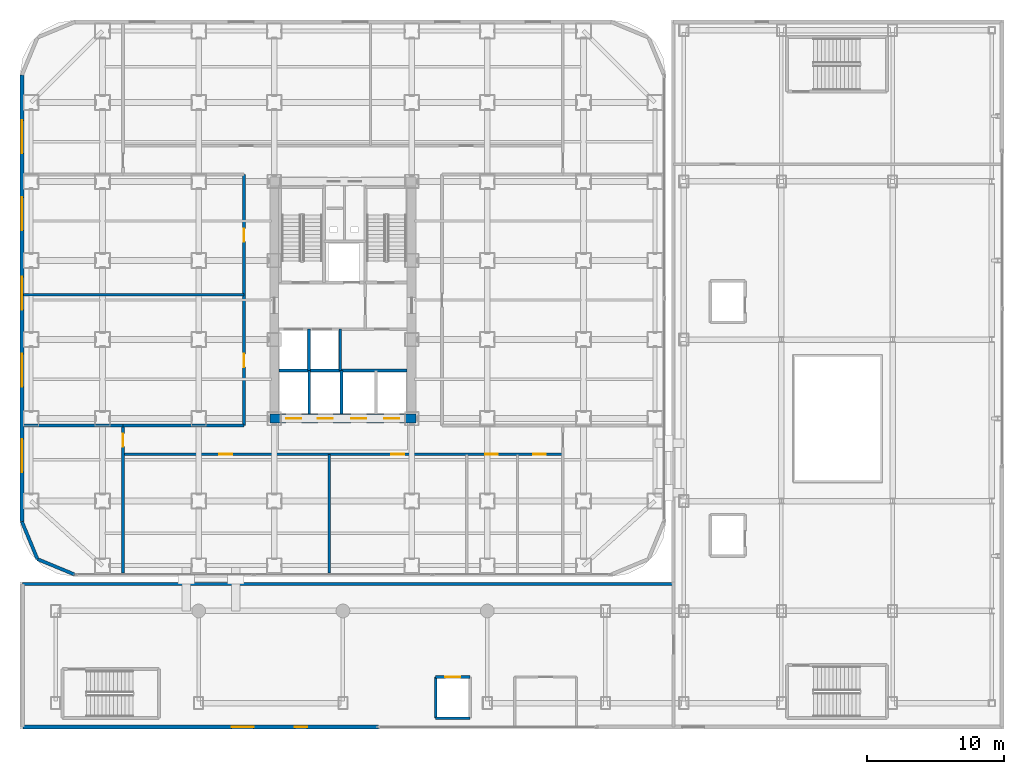
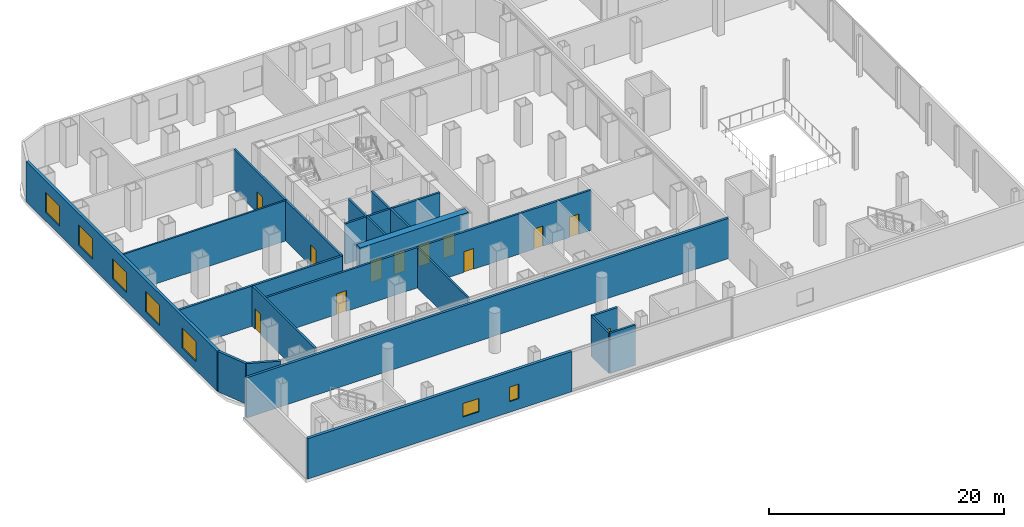
# One storey, part 19 of 26: 21 walls, 12 doors, 7 windows, 19 openings.
"""IFC4 building model written with IfcOpenShell, lengths in metres."""

from ifc_helpers import new_model, si_unit, direction, frame, frame_2d, origin, place, context, subcontext, project, spatial, rectangle, extrude, material, layer, layer_set, type_object, element, fill, save


model = new_model("IFC4")

# Units and contexts
model_context = context("Model", 3, precision=1e-05, world=origin(), true_north=direction((0.0, 1.0)))
body_context = subcontext(model_context, "Body", "Model", "MODEL_VIEW")
ifc_project = project(units=[si_unit("LENGTHUNIT", "METRE"), si_unit("AREAUNIT", "SQUARE_METRE"), si_unit("VOLUMEUNIT", "CUBIC_METRE"), si_unit("PLANEANGLEUNIT", "RADIAN"), si_unit("MASSUNIT", "GRAM", prefix="KILO")], contexts=[model_context])

# Site, building, storey
site_placement = place(None, origin())
site = spatial("IfcSite", under=ifc_project, at=site_placement, CompositionType="ELEMENT")
building_placement = place(site_placement, origin())
building = spatial("IfcBuilding", under=site, at=building_placement, Name="Kolveth Station Tower", CompositionType="ELEMENT")
storey_placement = place(building_placement, frame((0.0, 0.0, 4.5)))
storey = spatial("IfcBuildingStorey", under=building, at=storey_placement, Name="L01", CompositionType="ELEMENT", Elevation=4.5)

# Wall, openings, doors
ifc_material_1 = material(Name="Concrete C60/75", Category="concrete")
ifc_layer_1 = layer(ifc_material_1, 0.64990234375)
ifc_layer_set_1 = layer_set([ifc_layer_1], Name="Concrete C60/75")
wall_type_1 = type_object("IfcWallType", Name="Wall_CW-650", PredefinedType="SHEAR", material=ifc_layer_set_1)
wall_1_placement = place(storey_placement, frame((18.175048828125, 11.5, 0.0), z_axis=(0.0, 0.0, 1.0), x_axis=(1.0, 0.0, 0.0)))
wall_1 = element("IfcWall", 1, at=wall_1_placement, inside=storey, type_object=wall_type_1, Name="L01 Core RC Shear Wall S", PredefinedType="SHEAR", context=body_context, shape_type="SweptSolid", body=[
    extrude(rectangle(XDim=10.64990234375, YDim=0.64990234375, at=frame_2d((5.324951171875, 0.0))), origin(), (0.0, 0.0, 1.0), 4.179931640625),
])
opening_1_placement = place(wall_1_placement, frame((1.195068359375, 0.0, 0.0)))
opening_1 = element("IfcOpeningElement", 2, at=opening_1_placement, cuts=wall_1, Name="Opening LD1", PredefinedType="OPENING", context=body_context, shape_type="SweptSolid", body=[
    extrude(rectangle(XDim=1.10009765625, YDim=2.25, at=frame_2d((0.550048828125, 1.125))), frame((0.0, 0.3349609375, 0.0), z_axis=(0.0, -1.0, 0.0), x_axis=(1.0, 0.0, 0.0)), (0.0, 0.0, 1.0), 0.669921875),
])
opening_2_placement = place(wall_1_placement, frame((3.4951171875, 0.0, 0.0)))
opening_2 = element("IfcOpeningElement", 3, at=opening_2_placement, cuts=wall_1, Name="Opening LD1", PredefinedType="OPENING", context=body_context, shape_type="SweptSolid", body=[
    extrude(rectangle(XDim=1.10009765625, YDim=2.25, at=frame_2d((0.550048828125, 1.125))), frame((0.0, 0.3349609375, 0.0), z_axis=(0.0, -1.0, 0.0), x_axis=(1.0, 0.0, 0.0)), (0.0, 0.0, 1.0), 0.669921875),
])
opening_3_placement = place(wall_1_placement, frame((5.925048828125, 0.0, 0.0)))
opening_3 = element("IfcOpeningElement", 4, at=opening_3_placement, cuts=wall_1, Name="Opening LD1", PredefinedType="OPENING", context=body_context, shape_type="SweptSolid", body=[
    extrude(rectangle(XDim=1.10009765625, YDim=2.25, at=frame_2d((0.550048828125, 1.125))), frame((0.0, 0.3349609375, 0.0), z_axis=(0.0, -1.0, 0.0), x_axis=(1.0, 0.0, 0.0)), (0.0, 0.0, 1.0), 0.669921875),
])
opening_4_placement = place(wall_1_placement, frame((8.324951171875, 0.0, 0.0)))
opening_4 = element("IfcOpeningElement", 5, at=opening_4_placement, cuts=wall_1, Name="Opening LD1", PredefinedType="OPENING", context=body_context, shape_type="SweptSolid", body=[
    extrude(rectangle(XDim=1.10009765625, YDim=2.25, at=frame_2d((0.550048828125, 1.125))), frame((0.0, 0.3349609375, 0.0), z_axis=(0.0, -1.0, 0.0), x_axis=(1.0, 0.0, 0.0)), (0.0, 0.0, 1.0), 0.669921875),
])
ifc_material_2 = material(Name="Brushed stainless steel sliding landing doors", Category="steel")
door_type_1 = type_object("IfcDoorType", Name="Door_LD1", OperationType="NOTDEFINED", PredefinedType="DOOR", material=ifc_material_2)
door_1_placement = place(opening_1_placement, frame((1.10009765625, 0.0, 0.0), z_axis=(0.0, 0.0, 1.0), x_axis=(-1.0, 0.0, 0.0)))
door_1 = element("IfcDoor", 6, at=door_1_placement, inside=storey, type_object=door_type_1, Name="L01 Lift PL1 Landing Door", OperationType="DOUBLE_DOOR_SLIDING", OverallHeight=2.25, OverallWidth=1.10009765625, PredefinedType="DOOR", context=body_context, shape_type="SweptSolid", body=[
    extrude(rectangle(XDim=1.10009765625, YDim=2.25, at=frame_2d((0.550048828125, 1.125))), frame((0.0, 0.02490234375, 0.0), z_axis=(0.0, -1.0, 0.0), x_axis=(1.0, 0.0, 0.0)), (0.0, 0.0, 1.0), 0.050048828125),
])
fill(opening_1, door_1)
door_2_placement = place(opening_2_placement, frame((1.10009765625, 0.0, 0.0), z_axis=(0.0, 0.0, 1.0), x_axis=(-1.0, 0.0, 0.0)))
door_2 = element("IfcDoor", 7, at=door_2_placement, inside=storey, type_object=door_type_1, Name="L01 Lift PL2 Landing Door", OperationType="DOUBLE_DOOR_SLIDING", OverallHeight=2.25, OverallWidth=1.10009765625, PredefinedType="DOOR", context=body_context, shape_type="SweptSolid", body=[
    extrude(rectangle(XDim=1.10009765625, YDim=2.25, at=frame_2d((0.550048828125, 1.125))), frame((0.0, 0.02490234375, 0.0), z_axis=(0.0, -1.0, 0.0), x_axis=(1.0, 0.0, 0.0)), (0.0, 0.0, 1.0), 0.050048828125),
])
fill(opening_2, door_2)
door_3_placement = place(opening_3_placement, frame((1.10009765625, 0.0, 0.0), z_axis=(0.0, 0.0, 1.0), x_axis=(-1.0, 0.0, 0.0)))
door_3 = element("IfcDoor", 8, at=door_3_placement, inside=storey, type_object=door_type_1, Name="L01 Lift PM1 Landing Door", OperationType="DOUBLE_DOOR_SLIDING", OverallHeight=2.25, OverallWidth=1.10009765625, PredefinedType="DOOR", context=body_context, shape_type="SweptSolid", body=[
    extrude(rectangle(XDim=1.10009765625, YDim=2.25, at=frame_2d((0.550048828125, 1.125))), frame((0.0, 0.02490234375, 0.0), z_axis=(0.0, -1.0, 0.0), x_axis=(1.0, 0.0, 0.0)), (0.0, 0.0, 1.0), 0.050048828125),
])
fill(opening_3, door_3)
door_4_placement = place(opening_4_placement, frame((1.10009765625, 0.0, 0.0), z_axis=(0.0, 0.0, 1.0), x_axis=(-1.0, 0.0, 0.0)))
door_4 = element("IfcDoor", 9, at=door_4_placement, inside=storey, type_object=door_type_1, Name="L01 Lift PH1 Landing Door", OperationType="DOUBLE_DOOR_SLIDING", OverallHeight=2.25, OverallWidth=1.10009765625, PredefinedType="DOOR", context=body_context, shape_type="SweptSolid", body=[
    extrude(rectangle(XDim=1.10009765625, YDim=2.25, at=frame_2d((0.550048828125, 1.125))), frame((0.0, 0.02490234375, 0.0), z_axis=(0.0, -1.0, 0.0), x_axis=(1.0, 0.0, 0.0)), (0.0, 0.0, 1.0), 0.050048828125),
])
fill(opening_4, door_4)

# Walls
ifc_material_3 = material(Name="Precast concrete C40/50", Category="concrete")
ifc_layer_2 = layer(ifc_material_3, 0.239990234375)
ifc_layer_set_2 = layer_set([ifc_layer_2], Name="Precast concrete C40/50")
wall_type_2 = type_object("IfcWallType", Name="Wall_EW-240", PredefinedType="SOLIDWALL", material=ifc_layer_set_2)
for number, where, z_axis, x_axis, name in (
    (10, (0.139892578125, 4.0, 0.0), (0.0, 0.0, 1.0), (0.382689947836, -0.923876833688, 0.0), "L01 Podium Rounded Corner Wall 7"),
    (11, (1.2705078125, 1.2705078125, 0.0), (0.0, 0.0, 1.0), (0.923876833688, -0.382689947836, 0.0), "L01 Podium Rounded Corner Wall 8"),
):
    element("IfcWall", number, at=place(storey_placement, frame(where, z_axis=z_axis, x_axis=x_axis)), inside=storey, type_object=wall_type_2, Name=name, PredefinedType="SOLIDWALL", context=body_context, shape_type="SweptSolid", body=[
        extrude(rectangle(XDim=2.954345703125, YDim=0.239990234375, at=frame_2d((1.47705078125, 0.0))), origin(), (0.0, 0.0, 1.0), 4.179931640625),
    ])
wall_2_placement = place(storey_placement, frame((0.199951171875, -0.5400390625, 0.0), z_axis=(0.0, 0.0, 1.0), x_axis=(1.0, 0.0, 0.0)))
element("IfcWall", 12, at=wall_2_placement, inside=storey, type_object=wall_type_2, Name="L01 Station Exterior Wall JS", PredefinedType="SOLIDWALL", context=body_context, shape_type="SweptSolid", body=[
    extrude(rectangle(XDim=47.340087890625, YDim=0.239990234375, at=frame_2d((23.669921875, 0.0))), origin(), (0.0, 0.0, 1.0), 4.179931640625),
])

# Wall, openings, windows
ifc_layer_3 = layer(ifc_material_3, 0.280029296875)
ifc_layer_set_3 = layer_set([ifc_layer_3], Name="Precast concrete C40/50")
wall_type_3 = type_object("IfcWallType", Name="Wall_EW-280", PredefinedType="SOLIDWALL", material=ifc_layer_set_3)
wall_3_placement = place(storey_placement, frame((0.139892578125, 4.0, 0.0), z_axis=(0.0, 0.0, 1.0), x_axis=(0.0, 1.0, 0.0)))
wall_3 = element("IfcWall", 13, at=wall_3_placement, inside=storey, type_object=wall_type_3, Name="L01 Tower Podium West Exterior Wall", PredefinedType="SOLIDWALL", context=body_context, shape_type="SweptSolid", body=[
    extrude(rectangle(XDim=32.5, YDim=0.280029296875, at=frame_2d((16.25, 0.0))), origin(), (0.0, 0.0, 1.0), 4.179931640625),
])
opening_5_placement = place(wall_3_placement, frame((3.60009765625, 0.0, 0.89990234375)))
opening_5 = element("IfcOpeningElement", 14, at=opening_5_placement, cuts=wall_3, Name="Opening W1", PredefinedType="OPENING", context=body_context, shape_type="SweptSolid", body=[
    extrude(rectangle(XDim=2.39990234375, YDim=2.10009765625, at=frame_2d((1.199951171875, 1.050048828125))), frame((0.0, 0.14990234375, 0.0), z_axis=(0.0, -1.0, 0.0), x_axis=(1.0, 0.0, 0.0)), (0.0, 0.0, 1.0), 0.300048828125),
])
opening_6_placement = place(wall_3_placement, frame((9.800048828125, 0.0, 0.89990234375)))
opening_6 = element("IfcOpeningElement", 15, at=opening_6_placement, cuts=wall_3, Name="Opening W1", PredefinedType="OPENING", context=body_context, shape_type="SweptSolid", body=[
    extrude(rectangle(XDim=2.39990234375, YDim=2.10009765625, at=frame_2d((1.199951171875, 1.050048828125))), frame((0.0, 0.14990234375, 0.0), z_axis=(0.0, -1.0, 0.0), x_axis=(1.0, 0.0, 0.0)), (0.0, 0.0, 1.0), 0.300048828125),
])
opening_7_placement = place(wall_3_placement, frame((15.39990234375, 0.0, 0.89990234375)))
opening_7 = element("IfcOpeningElement", 16, at=opening_7_placement, cuts=wall_3, Name="Opening W1", PredefinedType="OPENING", context=body_context, shape_type="SweptSolid", body=[
    extrude(rectangle(XDim=2.39990234375, YDim=2.10009765625, at=frame_2d((1.199951171875, 1.050048828125))), frame((0.0, 0.14990234375, 0.0), z_axis=(0.0, -1.0, 0.0), x_axis=(1.0, 0.0, 0.0)), (0.0, 0.0, 1.0), 0.300048828125),
])
opening_8_placement = place(wall_3_placement, frame((21.199951171875, 0.0, 0.89990234375)))
opening_8 = element("IfcOpeningElement", 17, at=opening_8_placement, cuts=wall_3, Name="Opening W1", PredefinedType="OPENING", context=body_context, shape_type="SweptSolid", body=[
    extrude(rectangle(XDim=2.39990234375, YDim=2.10009765625, at=frame_2d((1.199951171875, 1.050048828125))), frame((0.0, 0.14990234375, 0.0), z_axis=(0.0, -1.0, 0.0), x_axis=(1.0, 0.0, 0.0)), (0.0, 0.0, 1.0), 0.300048828125),
])
opening_9_placement = place(wall_3_placement, frame((26.800048828125, 0.0, 0.89990234375)))
opening_9 = element("IfcOpeningElement", 18, at=opening_9_placement, cuts=wall_3, Name="Opening W1", PredefinedType="OPENING", context=body_context, shape_type="SweptSolid", body=[
    extrude(rectangle(XDim=2.39990234375, YDim=2.10009765625, at=frame_2d((1.199951171875, 1.050048828125))), frame((0.0, 0.14990234375, 0.0), z_axis=(0.0, -1.0, 0.0), x_axis=(1.0, 0.0, 0.0)), (0.0, 0.0, 1.0), 0.300048828125),
])
ifc_material_4 = material(Name="Black anodized aluminium 6063-T6 and low-E dark glass", Category="aluminium")
window_type_1 = type_object("IfcWindowType", Name="Win_W1", PartitioningType="SINGLE_PANEL", PredefinedType="WINDOW", material=ifc_material_4)
window_1_placement = place(opening_5_placement, origin())
window_1 = element("IfcWindow", 19, at=window_1_placement, inside=storey, type_object=window_type_1, Name="L01 Tower Podium West Window 1", OverallHeight=2.10009765625, OverallWidth=2.39990234375, PartitioningType="SINGLE_PANEL", PredefinedType="WINDOW", context=body_context, shape_type="SweptSolid", body=[
    extrude(rectangle(XDim=2.39990234375, YDim=2.10009765625, at=frame_2d((1.199951171875, 1.050048828125))), frame((0.0, 0.030029296875, 0.0), z_axis=(0.0, -1.0, 0.0), x_axis=(1.0, 0.0, 0.0)), (0.0, 0.0, 1.0), 0.06005859375),
])
fill(opening_5, window_1)
window_2_placement = place(opening_6_placement, origin())
window_2 = element("IfcWindow", 20, at=window_2_placement, inside=storey, type_object=window_type_1, Name="L01 Tower Podium West Window 2", OverallHeight=2.10009765625, OverallWidth=2.39990234375, PartitioningType="SINGLE_PANEL", PredefinedType="WINDOW", context=body_context, shape_type="SweptSolid", body=[
    extrude(rectangle(XDim=2.39990234375, YDim=2.10009765625, at=frame_2d((1.199951171875, 1.050048828125))), frame((0.0, 0.030029296875, 0.0), z_axis=(0.0, -1.0, 0.0), x_axis=(1.0, 0.0, 0.0)), (0.0, 0.0, 1.0), 0.06005859375),
])
fill(opening_6, window_2)
window_3_placement = place(opening_7_placement, origin())
window_3 = element("IfcWindow", 21, at=window_3_placement, inside=storey, type_object=window_type_1, Name="L01 Tower Podium West Window 3", OverallHeight=2.10009765625, OverallWidth=2.39990234375, PartitioningType="SINGLE_PANEL", PredefinedType="WINDOW", context=body_context, shape_type="SweptSolid", body=[
    extrude(rectangle(XDim=2.39990234375, YDim=2.10009765625, at=frame_2d((1.199951171875, 1.050048828125))), frame((0.0, 0.030029296875, 0.0), z_axis=(0.0, -1.0, 0.0), x_axis=(1.0, 0.0, 0.0)), (0.0, 0.0, 1.0), 0.06005859375),
])
fill(opening_7, window_3)
window_4_placement = place(opening_8_placement, origin())
window_4 = element("IfcWindow", 22, at=window_4_placement, inside=storey, type_object=window_type_1, Name="L01 Tower Podium West Window 4", OverallHeight=2.10009765625, OverallWidth=2.39990234375, PartitioningType="SINGLE_PANEL", PredefinedType="WINDOW", context=body_context, shape_type="SweptSolid", body=[
    extrude(rectangle(XDim=2.39990234375, YDim=2.10009765625, at=frame_2d((1.199951171875, 1.050048828125))), frame((0.0, 0.030029296875, 0.0), z_axis=(0.0, -1.0, 0.0), x_axis=(1.0, 0.0, 0.0)), (0.0, 0.0, 1.0), 0.06005859375),
])
fill(opening_8, window_4)
window_5_placement = place(opening_9_placement, origin())
window_5 = element("IfcWindow", 23, at=window_5_placement, inside=storey, type_object=window_type_1, Name="L01 Tower Podium West Window 5", OverallHeight=2.10009765625, OverallWidth=2.39990234375, PartitioningType="SINGLE_PANEL", PredefinedType="WINDOW", context=body_context, shape_type="SweptSolid", body=[
    extrude(rectangle(XDim=2.39990234375, YDim=2.10009765625, at=frame_2d((1.199951171875, 1.050048828125))), frame((0.0, 0.030029296875, 0.0), z_axis=(0.0, -1.0, 0.0), x_axis=(1.0, 0.0, 0.0)), (0.0, 0.0, 1.0), 0.06005859375),
])
fill(opening_9, window_5)

wall_4_placement = place(storey_placement, frame((0.199951171875, -10.949951171875, 0.0), z_axis=(0.0, 0.0, 1.0), x_axis=(1.0, 0.0, 0.0)))
wall_4 = element("IfcWall", 24, at=wall_4_placement, inside=storey, type_object=wall_type_3, Name="L01 Station Exterior Wall S1", PredefinedType="SOLIDWALL", context=body_context, shape_type="SweptSolid", body=[
    extrude(rectangle(XDim=25.900146484375, YDim=0.280029296875, at=frame_2d((12.9501953125, 0.0))), origin(), (0.0, 0.0, 1.0), 4.179931640625),
])
opening_10_placement = place(wall_4_placement, frame((15.199951171875, 0.0, 1.10009765625)))
opening_10 = element("IfcOpeningElement", 25, at=opening_10_placement, cuts=wall_4, Name="Opening W7", PredefinedType="OPENING", context=body_context, shape_type="SweptSolid", body=[
    extrude(rectangle(XDim=1.60009765625, YDim=1.39990234375, at=frame_2d((0.800048828125, 0.699951171875))), frame((0.0, 0.14990234375, 0.0), z_axis=(0.0, -1.0, 0.0), x_axis=(1.0, 0.0, 0.0)), (0.0, 0.0, 1.0), 0.300048828125),
])
opening_11_placement = place(wall_4_placement, frame((19.800048828125, 0.0, 1.10009765625)))
opening_11 = element("IfcOpeningElement", 26, at=opening_11_placement, cuts=wall_4, Name="Opening W8", PredefinedType="OPENING", context=body_context, shape_type="SweptSolid", body=[
    extrude(rectangle(XDim=0.89990234375, YDim=1.5, at=frame_2d((0.449951171875, 0.75))), frame((0.0, 0.14990234375, 0.0), z_axis=(0.0, -1.0, 0.0), x_axis=(1.0, 0.0, 0.0)), (0.0, 0.0, 1.0), 0.300048828125),
])
ifc_material_5 = material(Name="Black anodized aluminium 6063-T6 and triple low-E glass", Category="aluminium")
window_type_2 = type_object("IfcWindowType", Name="Win_W7", PartitioningType="SINGLE_PANEL", PredefinedType="WINDOW", material=ifc_material_5)
window_6_placement = place(opening_10_placement, origin())
window_6 = element("IfcWindow", 27, at=window_6_placement, inside=storey, type_object=window_type_2, Name="L01 Station Hall Window 1", OverallHeight=1.39990234375, OverallWidth=1.60009765625, PartitioningType="SINGLE_PANEL", PredefinedType="WINDOW", context=body_context, shape_type="SweptSolid", body=[
    extrude(rectangle(XDim=1.60009765625, YDim=1.39990234375, at=frame_2d((0.800048828125, 0.699951171875))), frame((0.0, 0.030029296875, 0.0), z_axis=(0.0, -1.0, 0.0), x_axis=(1.0, 0.0, 0.0)), (0.0, 0.0, 1.0), 0.06005859375),
])
fill(opening_10, window_6)
ifc_material_6 = material(Name="Black anodized aluminium 6063-T6 and frosted glass", Category="aluminium")
window_type_3 = type_object("IfcWindowType", Name="Win_W8", PartitioningType="SINGLE_PANEL", PredefinedType="WINDOW", material=ifc_material_6)
window_7_placement = place(opening_11_placement, origin())
window_7 = element("IfcWindow", 28, at=window_7_placement, inside=storey, type_object=window_type_3, Name="L01 Station Hall Window 2", OverallHeight=1.5, OverallWidth=0.89990234375, PartitioningType="SINGLE_PANEL", PredefinedType="WINDOW", context=body_context, shape_type="SweptSolid", body=[
    extrude(rectangle(XDim=0.89990234375, YDim=1.5, at=frame_2d((0.449951171875, 0.75))), frame((0.0, 0.030029296875, 0.0), z_axis=(0.0, -1.0, 0.0), x_axis=(1.0, 0.0, 0.0)), (0.0, 0.0, 1.0), 0.06005859375),
])
fill(opening_11, window_7)

# Walls
ifc_material_7 = material(Name="Acoustic double-stud gypsum partition")
ifc_layer_4 = layer(ifc_material_7, 0.1650390625)
ifc_layer_set_4 = layer_set([ifc_layer_4], Name="Acoustic double-stud gypsum partition")
wall_type_4 = type_object("IfcWallType", Name="Wall_IW-165", PredefinedType="PARTITIONING", material=ifc_layer_set_4)
wall_5_placement = place(storey_placement, frame((22.5, 0.25, 0.0), z_axis=(0.0, 0.0, 1.0), x_axis=(0.0, 1.0, 0.0)))
element("IfcWall", 29, at=wall_5_placement, inside=storey, type_object=wall_type_4, Name="L01 Partition Wall WL-L01-TPS-P1", PredefinedType="PARTITIONING", context=body_context, shape_type="SweptSolid", body=[
    extrude(rectangle(XDim=8.64990234375, YDim=0.1650390625, at=frame_2d((4.324951171875, 0.0))), origin(), (0.0, 0.0, 1.0), 4.179931640625),
])
wall_6_placement = place(storey_placement, frame((0.25, 20.5, 0.0), z_axis=(0.0, 0.0, 1.0), x_axis=(1.0, 0.0, 0.0)))
element("IfcWall", 30, at=wall_6_placement, inside=storey, type_object=wall_type_4, Name="L01 Partition Wall WL-L01-TPW-P1", PredefinedType="PARTITIONING", context=body_context, shape_type="SweptSolid", body=[
    extrude(rectangle(XDim=16.050048828125, YDim=0.1650390625, at=frame_2d((8.02490234375, 0.0))), origin(), (0.0, 0.0, 1.0), 4.179931640625),
])
ifc_material_8 = material(Name="Acoustic fire-rated gypsum blockwork", Category="masonry")
ifc_layer_5 = layer(ifc_material_8, 0.199951171875)
ifc_layer_set_5 = layer_set([ifc_layer_5], Name="Acoustic fire-rated gypsum blockwork")
wall_type_5 = type_object("IfcWallType", Name="Wall_IW-200", PredefinedType="PARTITIONING", material=ifc_layer_set_5)
for number, where, z_axis, x_axis, name in (
    (31, (21.02001953125, 15.0, 0.0), (0.0, 0.0, 1.0), (0.0, 1.0, 0.0), "L01 Partition Wall WL-L01-FF12"),
    (32, (23.300048828125, 15.0, 0.0), (0.0, 0.0, 1.0), (0.0, 1.0, 0.0), "L01 Partition Wall WL-L01-FF2E"),
):
    element("IfcWall", number, at=place(storey_placement, frame(where, z_axis=z_axis, x_axis=x_axis)), inside=storey, type_object=wall_type_5, Name=name, PredefinedType="PARTITIONING", context=body_context, shape_type="SweptSolid", body=[
        extrude(rectangle(XDim=3.0, YDim=0.199951171875, at=frame_2d((1.5, 0.0))), origin(), (0.0, 0.0, 1.0), 4.179931640625),
    ])
wall_7_placement = place(storey_placement, frame((18.8349609375, 15.0, 0.0), z_axis=(0.0, 0.0, 1.0), x_axis=(1.0, 0.0, 0.0)))
element("IfcWall", 33, at=wall_7_placement, inside=storey, type_object=wall_type_5, Name="L01 Partition Wall WL-L01-BOH-S", PredefinedType="PARTITIONING", context=body_context, shape_type="SweptSolid", body=[
    extrude(rectangle(XDim=9.330078125, YDim=0.199951171875, at=frame_2d((4.6650390625, 0.0))), origin(), (0.0, 0.0, 1.0), 4.179931640625),
])
for number, where, z_axis, x_axis, name in (
    (34, (21.050048828125, 11.8349609375, 0.0), (0.0, 0.0, 1.0), (0.0, 1.0, 0.0), "L01 Partition Wall WL-L01-PL12"),
    (35, (23.39990234375, 11.8349609375, 0.0), (0.0, 0.0, 1.0), (0.0, 1.0, 0.0), "L01 Partition Wall WL-L01-PL2E"),
):
    element("IfcWall", number, at=place(storey_placement, frame(where, z_axis=z_axis, x_axis=x_axis)), inside=storey, type_object=wall_type_5, Name=name, PredefinedType="PARTITIONING", context=body_context, shape_type="SweptSolid", body=[
        extrude(rectangle(XDim=3.1650390625, YDim=0.199951171875, at=frame_2d((1.58251953125, 0.0))), origin(), (0.0, 0.0, 1.0), 4.179931640625),
    ])

# Wall, openings, doors
wall_8_placement = place(storey_placement, frame((7.5, 8.89990234375, 0.0), z_axis=(0.0, 0.0, 1.0), x_axis=(1.0, 0.0, 0.0)))
wall_8 = element("IfcWall", 36, at=wall_8_placement, inside=storey, type_object=wall_type_5, Name="L01 Partition Wall WL-L01-BS", PredefinedType="PARTITIONING", context=body_context, shape_type="SweptSolid", body=[
    extrude(rectangle(XDim=32.0, YDim=0.199951171875, at=frame_2d((16.0, 0.0))), origin(), (0.0, 0.0, 1.0), 4.179931640625),
])
opening_12_placement = place(wall_8_placement, frame((7.0, 0.0, 0.0)))
opening_12 = element("IfcOpeningElement", 37, at=opening_12_placement, cuts=wall_8, Name="Opening ID1", PredefinedType="OPENING", context=body_context, shape_type="SweptSolid", body=[
    extrude(rectangle(XDim=0.949951171875, YDim=2.14990234375, at=frame_2d((0.47509765625, 1.074951171875))), frame((0.0, 0.10986328125, 0.0), z_axis=(0.0, -1.0, 0.0), x_axis=(1.0, 0.0, 0.0)), (0.0, 0.0, 1.0), 0.219970703125),
])
opening_13_placement = place(wall_8_placement, frame((19.5, 0.0, 0.0)))
opening_13 = element("IfcOpeningElement", 38, at=opening_13_placement, cuts=wall_8, Name="Opening ID1", PredefinedType="OPENING", context=body_context, shape_type="SweptSolid", body=[
    extrude(rectangle(XDim=0.949951171875, YDim=2.14990234375, at=frame_2d((0.47509765625, 1.074951171875))), frame((0.0, 0.10986328125, 0.0), z_axis=(0.0, -1.0, 0.0), x_axis=(1.0, 0.0, 0.0)), (0.0, 0.0, 1.0), 0.219970703125),
])
opening_14_placement = place(wall_8_placement, frame((26.35009765625, 0.0, 0.0)))
opening_14 = element("IfcOpeningElement", 39, at=opening_14_placement, cuts=wall_8, Name="Opening ID2", PredefinedType="OPENING", context=body_context, shape_type="SweptSolid", body=[
    extrude(rectangle(XDim=0.919921875, YDim=2.10009765625, at=frame_2d((0.4599609375, 1.050048828125))), frame((0.0, 0.10986328125, 0.0), z_axis=(0.0, -1.0, 0.0), x_axis=(1.0, 0.0, 0.0)), (0.0, 0.0, 1.0), 0.219970703125),
])
opening_15_placement = place(wall_8_placement, frame((29.85009765625, 0.0, 0.0)))
opening_15 = element("IfcOpeningElement", 40, at=opening_15_placement, cuts=wall_8, Name="Opening ID2", PredefinedType="OPENING", context=body_context, shape_type="SweptSolid", body=[
    extrude(rectangle(XDim=0.919921875, YDim=2.10009765625, at=frame_2d((0.4599609375, 1.050048828125))), frame((0.0, 0.10986328125, 0.0), z_axis=(0.0, -1.0, 0.0), x_axis=(1.0, 0.0, 0.0)), (0.0, 0.0, 1.0), 0.219970703125),
])
ifc_material_9 = material(Name="Acoustic hardwood leaf and aluminium frame", Category="wood")
door_type_2 = type_object("IfcDoorType", Name="Door_ID1", OperationType="NOTDEFINED", PredefinedType="DOOR", material=ifc_material_9)
door_5_placement = place(opening_12_placement, frame((0.949951171875, 0.0, 0.0), z_axis=(0.0, 0.0, 1.0), x_axis=(-1.0, 0.0, 0.0)))
door_5 = element("IfcDoor", 41, at=door_5_placement, inside=storey, type_object=door_type_2, Name="L01 Retail Unit South Door", OperationType="SINGLE_SWING_LEFT", OverallHeight=2.14990234375, OverallWidth=0.949951171875, PredefinedType="DOOR", context=body_context, shape_type="SweptSolid", body=[
    extrude(rectangle(XDim=0.949951171875, YDim=2.14990234375, at=frame_2d((0.47509765625, 1.074951171875))), frame((0.0, 0.02490234375, 0.0), z_axis=(0.0, -1.0, 0.0), x_axis=(1.0, 0.0, 0.0)), (0.0, 0.0, 1.0), 0.050048828125),
])
fill(opening_12, door_5)
door_6_placement = place(opening_13_placement, frame((0.949951171875, 0.0, 0.0), z_axis=(0.0, 0.0, 1.0), x_axis=(-1.0, 0.0, 0.0)))
door_6 = element("IfcDoor", 42, at=door_6_placement, inside=storey, type_object=door_type_2, Name="L01 Conference Room South Door", OperationType="SINGLE_SWING_LEFT", OverallHeight=2.14990234375, OverallWidth=0.949951171875, PredefinedType="DOOR", context=body_context, shape_type="SweptSolid", body=[
    extrude(rectangle(XDim=0.949951171875, YDim=2.14990234375, at=frame_2d((0.47509765625, 1.074951171875))), frame((0.0, 0.02490234375, 0.0), z_axis=(0.0, -1.0, 0.0), x_axis=(1.0, 0.0, 0.0)), (0.0, 0.0, 1.0), 0.050048828125),
])
fill(opening_13, door_6)
ifc_material_10 = material(Name="Moisture-resistant hardwood leaf", Category="wood")
door_type_3 = type_object("IfcDoorType", Name="Door_ID2", OperationType="NOTDEFINED", PredefinedType="DOOR", material=ifc_material_10)
door_7_placement = place(opening_14_placement, frame((0.919921875, 0.0, 0.0), z_axis=(0.0, 0.0, 1.0), x_axis=(-1.0, 0.0, 0.0)))
door_7 = element("IfcDoor", 43, at=door_7_placement, inside=storey, type_object=door_type_3, Name="L01 Podium Public Toilet Door", OperationType="SINGLE_SWING_RIGHT", OverallHeight=2.10009765625, OverallWidth=0.919921875, PredefinedType="DOOR", context=body_context, shape_type="SweptSolid", body=[
    extrude(rectangle(XDim=0.919921875, YDim=2.10009765625, at=frame_2d((0.4599609375, 1.050048828125))), frame((0.0, 0.02490234375, 0.0), z_axis=(0.0, -1.0, 0.0), x_axis=(1.0, 0.0, 0.0)), (0.0, 0.0, 1.0), 0.050048828125),
])
fill(opening_14, door_7)
door_8_placement = place(opening_15_placement, frame((0.919921875, 0.0, 0.0), z_axis=(0.0, 0.0, 1.0), x_axis=(-1.0, 0.0, 0.0)))
door_8 = element("IfcDoor", 44, at=door_8_placement, inside=storey, type_object=door_type_3, Name="L01 Accessible Podium WC Door", OperationType="SINGLE_SWING_LEFT", OverallHeight=2.10009765625, OverallWidth=0.919921875, PredefinedType="DOOR", context=body_context, shape_type="SweptSolid", body=[
    extrude(rectangle(XDim=0.919921875, YDim=2.10009765625, at=frame_2d((0.4599609375, 1.050048828125))), frame((0.0, 0.02490234375, 0.0), z_axis=(0.0, -1.0, 0.0), x_axis=(1.0, 0.0, 0.0)), (0.0, 0.0, 1.0), 0.050048828125),
])
fill(opening_15, door_8)

# Wall
wall_9_placement = place(storey_placement, frame((7.5, 11.0, 0.0), z_axis=(0.0, 0.0, 1.0), x_axis=(1.0, 0.0, 0.0)))
element("IfcWall", 45, at=wall_9_placement, inside=storey, type_object=wall_type_5, Name="L01 Partition Wall WL-L01-BSWT", PredefinedType="PARTITIONING", context=body_context, shape_type="SweptSolid", body=[
    extrude(rectangle(XDim=8.800048828125, YDim=0.199951171875, at=frame_2d((4.39990234375, 0.0))), origin(), (0.0, 0.0, 1.0), 4.179931640625),
])

# Wall, openings, doors
wall_10_placement = place(storey_placement, frame((16.300048828125, 11.0, 0.0), z_axis=(0.0, 0.0, 1.0), x_axis=(0.0, 1.0, 0.0)))
wall_10 = element("IfcWall", 46, at=wall_10_placement, inside=storey, type_object=wall_type_5, Name="L01 Partition Wall WL-L01-BW", PredefinedType="PARTITIONING", context=body_context, shape_type="SweptSolid", body=[
    extrude(rectangle(XDim=18.25, YDim=0.199951171875, at=frame_2d((9.125, 0.0))), origin(), (0.0, 0.0, 1.0), 4.179931640625),
])
opening_16_placement = place(wall_10_placement, frame((4.25, 0.0, 0.0)))
opening_16 = element("IfcOpeningElement", 47, at=opening_16_placement, cuts=wall_10, Name="Opening ID1", PredefinedType="OPENING", context=body_context, shape_type="SweptSolid", body=[
    extrude(rectangle(XDim=0.949951171875, YDim=2.14990234375, at=frame_2d((0.47509765625, 1.074951171875))), frame((0.0, 0.10986328125, 0.0), z_axis=(0.0, -1.0, 0.0), x_axis=(1.0, 0.0, 0.0)), (0.0, 0.0, 1.0), 0.219970703125),
])
opening_17_placement = place(wall_10_placement, frame((13.375, 0.0, 0.0)))
opening_17 = element("IfcOpeningElement", 48, at=opening_17_placement, cuts=wall_10, Name="Opening ID1", PredefinedType="OPENING", context=body_context, shape_type="SweptSolid", body=[
    extrude(rectangle(XDim=0.949951171875, YDim=2.14990234375, at=frame_2d((0.47509765625, 1.074951171875))), frame((0.0, 0.10986328125, 0.0), z_axis=(0.0, -1.0, 0.0), x_axis=(1.0, 0.0, 0.0)), (0.0, 0.0, 1.0), 0.219970703125),
])
door_9_placement = place(opening_16_placement, frame((0.949951171875, 0.0, 0.0), z_axis=(0.0, 0.0, 1.0), x_axis=(-1.0, 0.0, 0.0)))
door_9 = element("IfcDoor", 49, at=door_9_placement, inside=storey, type_object=door_type_2, Name="L01 Podium Retail Unit West 1 Door", OperationType="SINGLE_SWING_LEFT", OverallHeight=2.14990234375, OverallWidth=0.949951171875, PredefinedType="DOOR", context=body_context, shape_type="SweptSolid", body=[
    extrude(rectangle(XDim=0.949951171875, YDim=2.14990234375, at=frame_2d((0.47509765625, 1.074951171875))), frame((0.0, 0.02490234375, 0.0), z_axis=(0.0, -1.0, 0.0), x_axis=(1.0, 0.0, 0.0)), (0.0, 0.0, 1.0), 0.050048828125),
])
fill(opening_16, door_9)
door_10_placement = place(opening_17_placement, frame((0.949951171875, 0.0, 0.0), z_axis=(0.0, 0.0, 1.0), x_axis=(-1.0, 0.0, 0.0)))
door_10 = element("IfcDoor", 50, at=door_10_placement, inside=storey, type_object=door_type_2, Name="L01 Meeting Room West Door", OperationType="SINGLE_SWING_LEFT", OverallHeight=2.14990234375, OverallWidth=0.949951171875, PredefinedType="DOOR", context=body_context, shape_type="SweptSolid", body=[
    extrude(rectangle(XDim=0.949951171875, YDim=2.14990234375, at=frame_2d((0.47509765625, 1.074951171875))), frame((0.0, 0.02490234375, 0.0), z_axis=(0.0, -1.0, 0.0), x_axis=(1.0, 0.0, 0.0)), (0.0, 0.0, 1.0), 0.050048828125),
])
fill(opening_17, door_10)

# Wall, opening, door
wall_11_placement = place(storey_placement, frame((7.5, 0.25, 0.0), z_axis=(0.0, 0.0, 1.0), x_axis=(0.0, 1.0, 0.0)))
wall_11 = element("IfcWall", 51, at=wall_11_placement, inside=storey, type_object=wall_type_5, Name="L01 Partition Wall WL-L01-BWS", PredefinedType="PARTITIONING", context=body_context, shape_type="SweptSolid", body=[
    extrude(rectangle(XDim=10.75, YDim=0.199951171875, at=frame_2d((5.375, 0.0))), origin(), (0.0, 0.0, 1.0), 4.179931640625),
])
opening_18_placement = place(wall_11_placement, frame((9.199951171875, 0.0, 0.0)))
opening_18 = element("IfcOpeningElement", 52, at=opening_18_placement, cuts=wall_11, Name="Opening ID1", PredefinedType="OPENING", context=body_context, shape_type="SweptSolid", body=[
    extrude(rectangle(XDim=0.949951171875, YDim=2.14990234375, at=frame_2d((0.47509765625, 1.074951171875))), frame((0.0, 0.10986328125, 0.0), z_axis=(0.0, -1.0, 0.0), x_axis=(1.0, 0.0, 0.0)), (0.0, 0.0, 1.0), 0.219970703125),
])
door_11_placement = place(opening_18_placement, frame((0.949951171875, 0.0, 0.0), z_axis=(0.0, 0.0, 1.0), x_axis=(-1.0, 0.0, 0.0)))
door_11 = element("IfcDoor", 53, at=door_11_placement, inside=storey, type_object=door_type_2, Name="L01 Podium Retail Unit CSW Door", OperationType="SINGLE_SWING_RIGHT", OverallHeight=2.14990234375, OverallWidth=0.949951171875, PredefinedType="DOOR", context=body_context, shape_type="SweptSolid", body=[
    extrude(rectangle(XDim=0.949951171875, YDim=2.14990234375, at=frame_2d((0.47509765625, 1.074951171875))), frame((0.0, 0.02490234375, 0.0), z_axis=(0.0, -1.0, 0.0), x_axis=(1.0, 0.0, 0.0)), (0.0, 0.0, 1.0), 0.050048828125),
])
fill(opening_18, door_11)

# Walls
wall_12_placement = place(storey_placement, frame((0.25, 11.0, 0.0), z_axis=(0.0, 0.0, 1.0), x_axis=(1.0, 0.0, 0.0)))
element("IfcWall", 54, at=wall_12_placement, inside=storey, type_object=wall_type_5, Name="L01 Partition Wall WL-L01-BWM1", PredefinedType="PARTITIONING", context=body_context, shape_type="SweptSolid", body=[
    extrude(rectangle(XDim=7.25, YDim=0.199951171875, at=frame_2d((3.625, 0.0))), origin(), (0.0, 0.0, 1.0), 4.179931640625),
])
wall_13_placement = place(storey_placement, frame((30.25, -10.300048828125, 0.0), z_axis=(0.0, 0.0, 1.0), x_axis=(1.0, 0.0, 0.0)))
element("IfcWall", 55, at=wall_13_placement, inside=storey, type_object=wall_type_5, Name="L01 Partition Wall WL-L01-SL3-S", PredefinedType="PARTITIONING", context=body_context, shape_type="SweptSolid", body=[
    extrude(rectangle(XDim=2.5, YDim=0.199951171875, at=frame_2d((1.25, 0.0))), origin(), (0.0, 0.0, 1.0), 4.179931640625),
])

# Wall, opening, door
wall_14_placement = place(storey_placement, frame((30.25, -7.300048828125, 0.0), z_axis=(0.0, 0.0, 1.0), x_axis=(1.0, 0.0, 0.0)))
wall_14 = element("IfcWall", 56, at=wall_14_placement, inside=storey, type_object=wall_type_5, Name="L01 Partition Wall WL-L01-SL3-N", PredefinedType="PARTITIONING", context=body_context, shape_type="SweptSolid", body=[
    extrude(rectangle(XDim=2.5, YDim=0.199951171875, at=frame_2d((1.25, 0.0))), origin(), (0.0, 0.0, 1.0), 4.179931640625),
])
opening_19_placement = place(wall_14_placement, frame((0.699951171875, 0.0, 0.0)))
opening_19 = element("IfcOpeningElement", 57, at=opening_19_placement, cuts=wall_14, Name="Opening LD1", PredefinedType="OPENING", context=body_context, shape_type="SweptSolid", body=[
    extrude(rectangle(XDim=1.10009765625, YDim=2.25, at=frame_2d((0.550048828125, 1.125))), frame((0.0, 0.10986328125, 0.0), z_axis=(0.0, -1.0, 0.0), x_axis=(1.0, 0.0, 0.0)), (0.0, 0.0, 1.0), 0.219970703125),
])
door_12_placement = place(opening_19_placement, origin())
door_12 = element("IfcDoor", 58, at=door_12_placement, inside=storey, type_object=door_type_1, Name="L01 Station Lift SL3 Landing Door", OperationType="DOUBLE_DOOR_SLIDING", OverallHeight=2.25, OverallWidth=1.10009765625, PredefinedType="DOOR", context=body_context, shape_type="SweptSolid", body=[
    extrude(rectangle(XDim=1.10009765625, YDim=2.25, at=frame_2d((0.550048828125, 1.125))), frame((0.0, 0.02490234375, 0.0), z_axis=(0.0, -1.0, 0.0), x_axis=(1.0, 0.0, 0.0)), (0.0, 0.0, 1.0), 0.050048828125),
])
fill(opening_19, door_12)

# Wall
wall_15_placement = place(storey_placement, frame((30.25, -10.300048828125, 0.0), z_axis=(0.0, 0.0, 1.0), x_axis=(0.0, 1.0, 0.0)))
element("IfcWall", 59, at=wall_15_placement, inside=storey, type_object=wall_type_5, Name="L01 Partition Wall WL-L01-SL3-W", PredefinedType="PARTITIONING", context=body_context, shape_type="SweptSolid", body=[
    extrude(rectangle(XDim=3.0, YDim=0.199951171875, at=frame_2d((1.5, 0.0))), origin(), (0.0, 0.0, 1.0), 4.179931640625),
])

save(model, "model.ifc")
